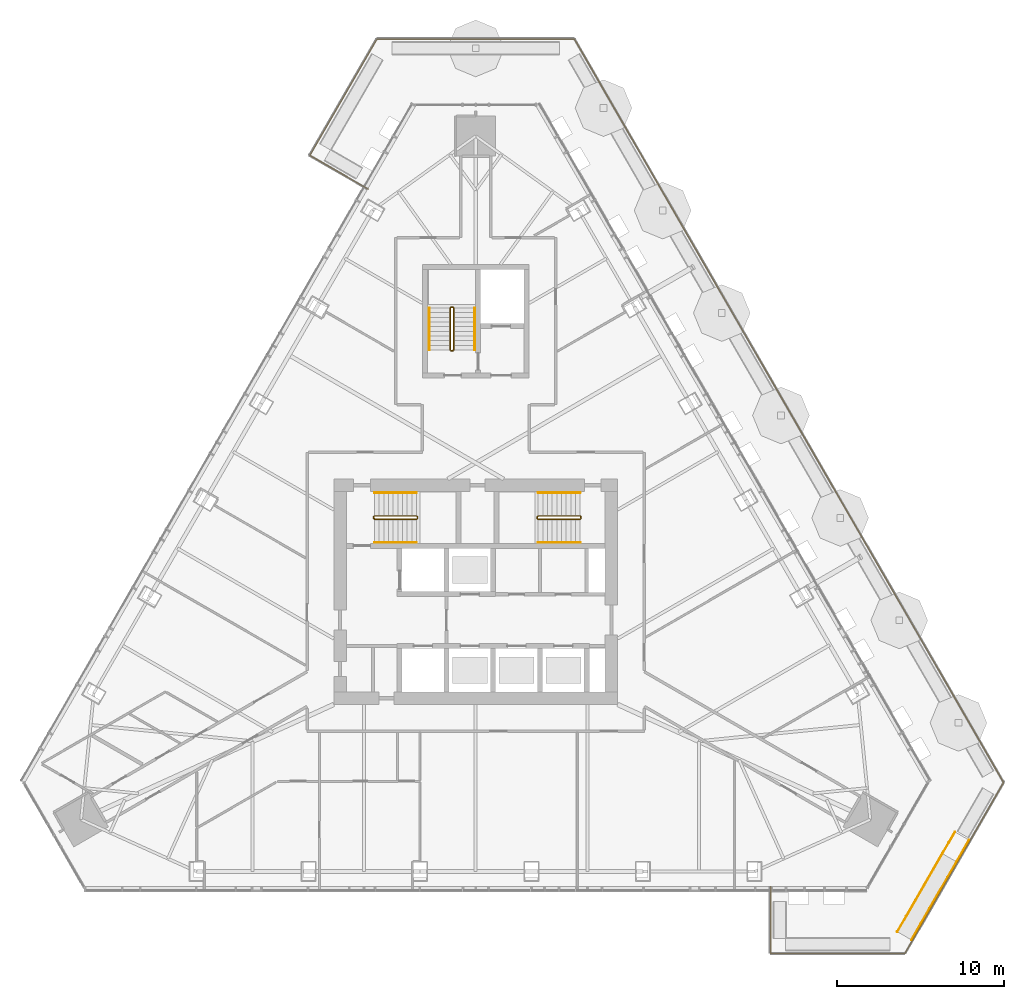
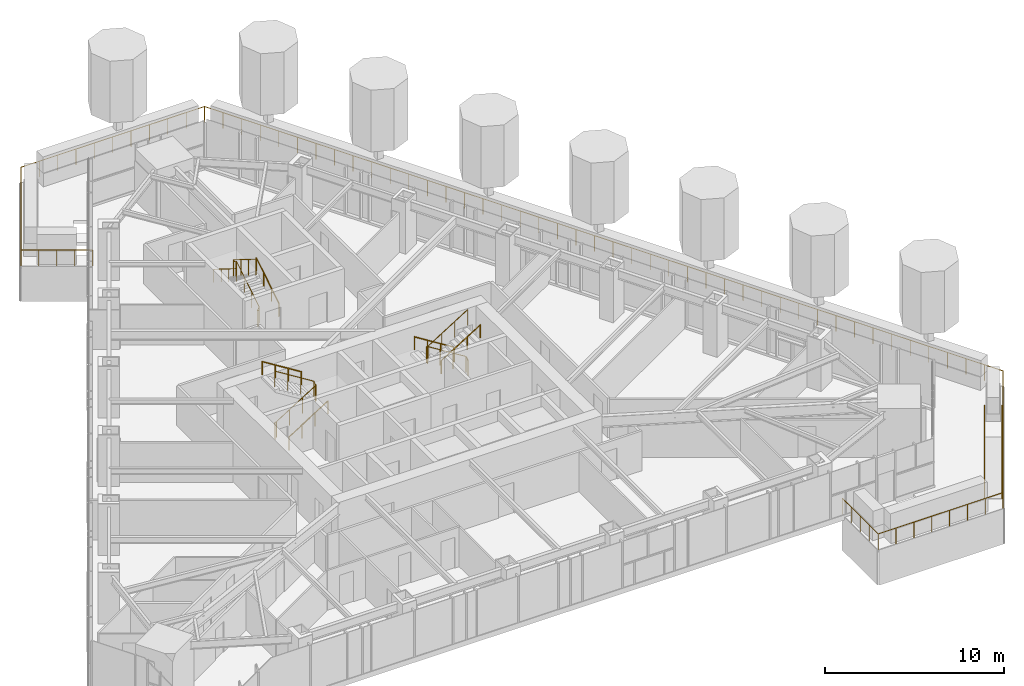
# One storey, part 22 of 24: 12 railings.
"""IFC4 building model written with IfcOpenShell, lengths in metres."""

import ifcopenshell
import ifcopenshell.guid

model = None  # the IFC model being written
_history = None  # IfcOwnerHistory: only IFC2X3 demands one
_inside = {}  # id of a spatial element -> (the spatial element, [elements in it])
_under = {}  # id of a project, library or spatial element -> (it, [spatial elements below it])
_declared = {}  # id of a project -> (the project, [libraries it declares])
_typed = {}  # id of a type object -> (the type object, [elements of that type])
_made_of = {}  # id of a material, layer set ... -> (it, [elements and type objects made of it])


def new_model(schema):
    """Start an empty IFC model of exactly this schema.

    Asked for "IFC4X3", IfcOpenShell would pick the latest addendum, in which some entities
    have other attributes; the version numbers below select the first issue.
    IFC2X3 requires an IfcOwnerHistory on every rooted entity: one is made here for all.
    """
    global model, _history
    if schema == "IFC4X3":
        model = ifcopenshell.file(schema_version=(4, 3, 0, 0))
    else:
        model = ifcopenshell.file(schema=schema)
    _inside.clear()
    _under.clear()
    _declared.clear()
    _typed.clear()
    _made_of.clear()
    _history = None
    if model.schema == "IFC2X3":
        org = make("IfcOrganization", Name="unknown")
        user = make(
            "IfcPersonAndOrganization",
            ThePerson=make("IfcPerson", FamilyName="unknown"),
            TheOrganization=org,
        )
        app = make(
            "IfcApplication",
            ApplicationDeveloper=org,
            Version="unknown",
            ApplicationFullName="unknown",
            ApplicationIdentifier="unknown",
        )
        _history = make(
            "IfcOwnerHistory",
            OwningUser=user,
            OwningApplication=app,
            ChangeAction="ADDED",
            CreationDate=0,
        )
    return model


def make(cls, **values):
    """One entity of the class cls with the attributes given. An attribute that is None is left unset."""
    return model.create_entity(
        cls, **{name: value for name, value in values.items() if value is not None}
    )


def rooted(cls, **values):
    """An entity with a GlobalId (a new one), such as an element, a storey or a relation."""
    return make(cls, GlobalId=ifcopenshell.guid.new(), OwnerHistory=_history, **values)


def si_unit(unit_type, name, prefix=None):
    """IfcSIUnit, for example si_unit("LENGTHUNIT", "METRE", prefix="MILLI")."""
    return make("IfcSIUnit", UnitType=unit_type, Prefix=prefix, Name=name)


def assignment(units):
    """IfcUnitAssignment: the units of a project."""
    return None if units is None else make("IfcUnitAssignment", Units=units)


def point(xyz):
    """IfcCartesianPoint."""
    return None if xyz is None else make("IfcCartesianPoint", Coordinates=xyz)


def direction(xyz):
    """IfcDirection."""
    return None if xyz is None else make("IfcDirection", DirectionRatios=xyz)


def frame(location, z_axis=None, x_axis=None):
    """IfcAxis2Placement3D, a coordinate frame: its origin and axes. An axis left out is left unset."""
    return make(
        "IfcAxis2Placement3D",
        Location=point(location),
        Axis=direction(z_axis),
        RefDirection=direction(x_axis),
    )


def frame_2d(location, x_axis=None):
    """IfcAxis2Placement2D, a coordinate frame in the plane: its origin and x axis."""
    return make(
        "IfcAxis2Placement2D", Location=point(location), RefDirection=direction(x_axis)
    )


def origin():
    """The frame at (0, 0, 0) with its axes left unset."""
    return frame((0.0, 0.0, 0.0))


def origin_2d():
    """The frame at (0, 0) in the plane with its x axis left unset."""
    return frame_2d((0.0, 0.0))


def place(relative_to, where):
    """IfcLocalPlacement: puts the frame where relative to a parent placement (None: the world)."""
    return make(
        "IfcLocalPlacement", PlacementRelTo=relative_to, RelativePlacement=where
    )


def context(
    kind, dimensions, precision=None, world=None, true_north=None, identifier=None
):
    """IfcGeometricRepresentationContext, for example the 3D "Model" context."""
    return make(
        "IfcGeometricRepresentationContext",
        ContextIdentifier=identifier,
        ContextType=kind,
        CoordinateSpaceDimension=dimensions,
        Precision=precision,
        WorldCoordinateSystem=world,
        TrueNorth=true_north,
    )


def subcontext(parent, identifier, kind, view, scale=None):
    """IfcGeometricRepresentationSubContext, for example "Body" below "Model"."""
    return make(
        "IfcGeometricRepresentationSubContext",
        ContextIdentifier=identifier,
        ContextType=kind,
        ParentContext=parent,
        TargetScale=scale,
        TargetView=view,
    )


def project(units=None, contexts=None):
    """IfcProject with its units and contexts."""
    return rooted(
        "IfcProject",
        Name="project",
        RepresentationContexts=contexts,
        UnitsInContext=assignment(units),
    )


def spatial(cls, under=None, at=None, **own):
    """A site, building, storey or space (cls), placed at a placement, below another one or the project."""
    s = rooted(cls, ObjectPlacement=at, **own)
    if under is not None:
        _under.setdefault(under.id(), (under, []))[1].append(s)
    return s


def profile(cls, at=None, kind="AREA", **sizes):
    """A parametric profile (cls). Its sizes go by their IFC names, for example OverallWidth=200.0."""
    return make(cls, ProfileType=kind, Position=at, **sizes)


def circle(**sizes):
    """IfcCircleProfileDef."""
    return profile("IfcCircleProfileDef", **sizes)


def extrude(swept, where, along, depth):
    """IfcExtrudedAreaSolid: the profile swept, set in the frame where, extruded along a direction by depth."""
    return make(
        "IfcExtrudedAreaSolid",
        SweptArea=swept,
        Position=where,
        ExtrudedDirection=direction(along),
        Depth=depth,
    )


def shape(context_of_items, identifier, shape_type, items):
    """IfcShapeRepresentation: the items that make up one representation, for example the "Body"."""
    return make(
        "IfcShapeRepresentation",
        ContextOfItems=context_of_items,
        RepresentationIdentifier=identifier,
        RepresentationType=shape_type,
        Items=items,
    )


def material(Name=None, Category=None):
    """IfcMaterial."""
    return make("IfcMaterial", Name=Name, Category=Category)


def made_of(thing, what):
    """Note that an element or type object is made of a material, layer set ...; save() writes the relation."""
    if what is not None:
        _made_of.setdefault(what.id(), (what, []))[1].append(thing)
    return thing


def type_object(cls, material=None, **own):
    """A type object (cls), such as IfcWallType, which elements share."""
    return made_of(rooted(cls, **own), material)


def element(
    cls,
    number,
    at=None,
    inside=None,
    cuts=None,
    type_object=None,
    material=None,
    context=None,
    identifier="Body",
    shape_type=None,
    held_by="IfcProductDefinitionShape",
    body=None,
    shapes=None,
    **own,
):
    """One element of the class cls, such as IfcWall. Its Tag is "e" and its number.

    at: its placement. inside: the storey or other place that contains it. cuts: it is an
    opening in that element (IfcRelVoidsElement). A single representation is given by context,
    identifier, shape_type and body (its items); several are given by shapes. held_by: the class
    of the entity that holds the representations. save() writes the other relations.
    """
    e = rooted(cls, Tag="e%d" % number, ObjectPlacement=at, **own)
    if body is not None:
        shapes = [shape(context, identifier, shape_type, body)]
    if shapes is not None:
        e.Representation = make(held_by, Representations=shapes)
    if inside is not None:
        _inside.setdefault(inside.id(), (inside, []))[1].append(e)
    if cuts is not None:
        rooted(
            "IfcRelVoidsElement", RelatingBuildingElement=cuts, RelatedOpeningElement=e
        )
    if type_object is not None:
        _typed.setdefault(type_object.id(), (type_object, []))[1].append(e)
    return made_of(e, material)


def aggregate(whole, parts):
    """IfcRelAggregates: a whole, such as a stair, and the parts it consists of."""
    return rooted("IfcRelAggregates", RelatingObject=whole, RelatedObjects=parts)


def save(model, path):
    """Write the relations noted so far, then the file.

    IfcRelAggregates (storeys below a building ...), IfcRelContainedInSpatialStructure (elements
    in a storey), IfcRelDefinesByType, IfcRelAssociatesMaterial and IfcRelDeclares: one each for
    every whole, place, type object, material and project.
    """
    for whole, parts in _under.values():
        aggregate(whole, parts)
    for where, things in _inside.values():
        rooted(
            "IfcRelContainedInSpatialStructure",
            RelatedElements=things,
            RelatingStructure=where,
        )
    for kind, things in _typed.values():
        rooted("IfcRelDefinesByType", RelatedObjects=things, RelatingType=kind)
    for what, things in _made_of.values():
        rooted("IfcRelAssociatesMaterial", RelatedObjects=things, RelatingMaterial=what)
    for by, libraries in _declared.values():
        rooted("IfcRelDeclares", RelatingContext=by, RelatedDefinitions=libraries)
    model.write(path)


model = new_model("IFC4")

# Units and contexts
model_context = context("Model", 3, precision=1e-05, world=origin(), true_north=direction((0.0, 1.0)))
body_context = subcontext(model_context, "Body", "Model", "MODEL_VIEW")
ifc_project = project(units=[si_unit("LENGTHUNIT", "METRE"), si_unit("AREAUNIT", "SQUARE_METRE"), si_unit("VOLUMEUNIT", "CUBIC_METRE"), si_unit("PLANEANGLEUNIT", "RADIAN"), si_unit("MASSUNIT", "GRAM", prefix="KILO")], contexts=[model_context])

# Site, building, storey
site_placement = place(None, origin())
site = spatial("IfcSite", under=ifc_project, at=site_placement, CompositionType="ELEMENT")
building_placement = place(site_placement, origin())
building = spatial("IfcBuilding", under=site, at=building_placement, Name="Firuza Gate Tower and Library", CompositionType="ELEMENT")
storey_placement = place(building_placement, frame((0.0, 0.0, 267.10009765625)))
storey = spatial("IfcBuildingStorey", under=building, at=storey_placement, Name="L63", CompositionType="ELEMENT", Elevation=267.10009765625)

# Railings
ifc_material_1 = material(Name="Steel S355", Category="steel")
railing_type_1 = type_object("IfcRailingType", Name="Garden ramp guard 1100", PredefinedType="GUARDRAIL", material=ifc_material_1)
railing_1_placement = place(storey_placement, frame((100.248046875, 54.638671875, 0.0498046875)))
element("IfcRailing", 1, at=railing_1_placement, inside=storey, type_object=railing_type_1, Name="Ramp guard", PredefinedType="GUARDRAIL", context=body_context, shape_type="SweptSolid", body=[
    extrude(circle(Radius=0.02392578125, at=origin_2d()), frame((0.0, 0.0, 1.076171875), z_axis=(0.49862797474, 0.863660263689, 0.073899199801), x_axis=(-0.866028230842, 0.499995103361, 0.0)), (0.0, 0.0, 1.0), 5.414794921875),
    extrude(circle(Radius=0.02392578125, at=origin_2d()), frame((2.699951171875, 4.676513671875, 1.47607421875), z_axis=(0.499990139034, 0.866031096941, 0.0), x_axis=(-0.866031096941, 0.499990139034, 0.0)), (0.0, 0.0, 1.0), 1.5),
    extrude(circle(Radius=0.02099609375, at=origin_2d()), origin(), (0.0, 0.0, 1.0), 1.052001953125),
    extrude(circle(Radius=0.02099609375, at=origin_2d()), frame((0.5400390625, 0.935302734375, 0.080078125)), (0.0, 0.0, 1.0), 1.052001953125),
    extrude(circle(Radius=0.02099609375, at=origin_2d()), frame((1.080078125, 1.87060546875, 0.16015625)), (0.0, 0.0, 1.0), 1.052001953125),
    extrude(circle(Radius=0.02099609375, at=origin_2d()), frame((1.619873046875, 2.805908203125, 0.239990234375)), (0.0, 0.0, 1.0), 1.052001953125),
    extrude(circle(Radius=0.02099609375, at=origin_2d()), frame((2.159912109375, 3.7412109375, 0.320068359375)), (0.0, 0.0, 1.0), 1.052001953125),
    extrude(circle(Radius=0.02099609375, at=origin_2d()), frame((2.699951171875, 4.676513671875, 0.400146484375)), (0.0, 0.0, 1.0), 1.052001953125),
    extrude(circle(Radius=0.02099609375, at=origin_2d()), frame((3.074951171875, 5.326171875, 0.400146484375)), (0.0, 0.0, 1.0), 1.052001953125),
    extrude(circle(Radius=0.02099609375, at=origin_2d()), frame((3.449951171875, 5.9755859375, 0.400146484375)), (0.0, 0.0, 1.0), 1.052001953125),
])
railing_2_placement = place(storey_placement, frame((101.0966796875, 54.148681640625, 0.0498046875)))
element("IfcRailing", 2, at=railing_2_placement, inside=storey, type_object=railing_type_1, Name="Ramp guard", PredefinedType="GUARDRAIL", context=body_context, shape_type="SweptSolid", body=[
    extrude(circle(Radius=0.02392578125, at=origin_2d()), frame((0.0, 0.0, 1.076171875), z_axis=(0.498661851359, 0.863640846545, 0.073897538371), x_axis=(-0.866008653551, 0.500029011134, 0.0)), (0.0, 0.0, 1.0), 5.414794921875),
    extrude(circle(Radius=0.02392578125, at=origin_2d()), frame((2.7001953125, 4.676513671875, 1.47607421875), z_axis=(0.499990139034, 0.866031096941, 0.0), x_axis=(-0.866031096941, 0.499990139034, 0.0)), (0.0, 0.0, 1.0), 1.5),
    extrude(circle(Radius=0.02099609375, at=origin_2d()), origin(), (0.0, 0.0, 1.0), 1.052001953125),
    extrude(circle(Radius=0.02099609375, at=origin_2d()), frame((0.5400390625, 0.935302734375, 0.080078125)), (0.0, 0.0, 1.0), 1.052001953125),
    extrude(circle(Radius=0.02099609375, at=origin_2d()), frame((1.080078125, 1.87060546875, 0.16015625)), (0.0, 0.0, 1.0), 1.052001953125),
    extrude(circle(Radius=0.02099609375, at=origin_2d()), frame((1.6201171875, 2.805908203125, 0.239990234375)), (0.0, 0.0, 1.0), 1.052001953125),
    extrude(circle(Radius=0.02099609375, at=origin_2d()), frame((2.16015625, 3.7412109375, 0.320068359375)), (0.0, 0.0, 1.0), 1.052001953125),
    extrude(circle(Radius=0.02099609375, at=origin_2d()), frame((2.7001953125, 4.676513671875, 0.400146484375)), (0.0, 0.0, 1.0), 1.052001953125),
    extrude(circle(Radius=0.02099609375, at=origin_2d()), frame((3.0751953125, 5.326171875, 0.400146484375)), (0.0, 0.0, 1.0), 1.052001953125),
    extrude(circle(Radius=0.02099609375, at=origin_2d()), frame((3.4501953125, 5.9755859375, 0.400146484375)), (0.0, 0.0, 1.0), 1.052001953125),
])
ifc_material_2 = material(Name="Steel S355", Category="steel")
railing_type_2 = type_object("IfcRailingType", Name="Stair guard 1100", PredefinedType="GUARDRAIL", material=ifc_material_2)
railing_3_placement = place(storey_placement, frame((68.889892578125, 79.389892578125, 0.0)))
element("IfcRailing", 3, at=railing_3_placement, inside=storey, type_object=railing_type_2, Name="L63 ST1 stair guard 1", PredefinedType="GUARDRAIL", context=body_context, shape_type="SweptSolid", body=[
    extrude(circle(Radius=0.02392578125, at=origin_2d()), frame((0.0, 0.0, 1.076171875), z_axis=(0.0, 1.0, 0.0), x_axis=(-1.0, 0.0, 0.0)), (0.0, 0.0, 1.0), 0.10009765625),
    extrude(circle(Radius=0.02392578125, at=origin_2d()), frame((0.0, 0.10009765625, 1.076171875), z_axis=(0.212383695785, -0.636115069328, 0.741788908207), x_axis=(0.948528701346, 0.316691178788, 0.0)), (0.0, 0.0, 1.0), 0.235595703125),
    extrude(circle(Radius=0.02392578125, at=origin_2d()), frame((0.050048828125, -0.0498046875, 1.2509765625), z_axis=(0.847970611238, 0.0, 0.530043245855), x_axis=(0.0, 1.0, 0.0)), (0.0, 0.0, 1.0), 2.971923828125),
    extrude(circle(Radius=0.02392578125, at=origin_2d()), frame((2.570068359375, -0.0498046875, 2.826171875), z_axis=(0.708833529934, 0.705375805398, 0.0), x_axis=(-0.705375805398, 0.708833529934, 0.0)), (0.0, 0.0, 1.0), 0.070556640625),
    extrude(circle(Radius=0.02392578125, at=origin_2d()), frame((2.6201171875, 0.0, 2.826171875), z_axis=(0.0, 1.0, 0.0), x_axis=(-1.0, 0.0, 0.0)), (0.0, 0.0, 1.0), 0.10009765625),
    extrude(circle(Radius=0.02392578125, at=origin_2d()), frame((2.6201171875, 0.10009765625, 2.826171875), z_axis=(-0.265383341853, 0.265383341853, 0.926899867156), x_axis=(-0.707106781187, -0.707106781187, 0.0)), (0.0, 0.0, 1.0), 0.1884765625),
    extrude(circle(Radius=0.02392578125, at=origin_2d()), frame((2.570068359375, 0.150146484375, 3.0009765625), z_axis=(-0.847970611238, 0.0, 0.530043245855), x_axis=(0.0, -1.0, 0.0)), (0.0, 0.0, 1.0), 2.971923828125),
    extrude(circle(Radius=0.02099609375, at=origin_2d()), origin(), (0.0, 0.0, 1.0), 1.052001953125),
    extrude(circle(Radius=0.02099609375, at=origin_2d()), frame((0.0, 0.10009765625, 0.0)), (0.0, 0.0, 1.0), 1.052001953125),
    extrude(circle(Radius=0.02099609375, at=origin_2d()), frame((0.050048828125, -0.0498046875, 0.1748046875)), (0.0, 0.0, 1.0), 1.052001953125),
    extrude(circle(Radius=0.02099609375, at=origin_2d()), frame((0.89013671875, -0.0498046875, 0.699951171875)), (0.0, 0.0, 1.0), 1.052001953125),
    extrude(circle(Radius=0.02099609375, at=origin_2d()), frame((1.72998046875, -0.0498046875, 1.224853515625)), (0.0, 0.0, 1.0), 1.052001953125),
    extrude(circle(Radius=0.02099609375, at=origin_2d()), frame((2.570068359375, -0.0498046875, 1.75)), (0.0, 0.0, 1.0), 1.052001953125),
    extrude(circle(Radius=0.02099609375, at=origin_2d()), frame((2.6201171875, 0.0, 1.75)), (0.0, 0.0, 1.0), 1.052001953125),
    extrude(circle(Radius=0.02099609375, at=origin_2d()), frame((2.6201171875, 0.10009765625, 1.75)), (0.0, 0.0, 1.0), 1.052001953125),
    extrude(circle(Radius=0.02099609375, at=origin_2d()), frame((2.570068359375, 0.150146484375, 1.9248046875)), (0.0, 0.0, 1.0), 1.052001953125),
    extrude(circle(Radius=0.02099609375, at=origin_2d()), frame((1.72998046875, 0.150146484375, 2.449951171875)), (0.0, 0.0, 1.0), 1.052001953125),
    extrude(circle(Radius=0.02099609375, at=origin_2d()), frame((0.89013671875, 0.150146484375, 2.974853515625)), (0.0, 0.0, 1.0), 1.052001953125),
    extrude(circle(Radius=0.02099609375, at=origin_2d()), frame((0.050048828125, 0.150146484375, 3.5)), (0.0, 0.0, 1.0), 1.052001953125),
])
railing_4_placement = place(storey_placement, frame((81.31005859375, 79.489990234375, 0.0)))
element("IfcRailing", 4, at=railing_4_placement, inside=storey, type_object=railing_type_2, Name="L63 ST2 stair guard 1", PredefinedType="GUARDRAIL", context=body_context, shape_type="SweptSolid", body=[
    extrude(circle(Radius=0.02392578125, at=origin_2d()), frame((0.0, 0.0, 1.076171875), z_axis=(0.0, -1.0, 0.0), x_axis=(1.0, 0.0, 0.0)), (0.0, 0.0, 1.0), 0.10009765625),
    extrude(circle(Radius=0.02392578125, at=origin_2d()), frame((0.0, -0.10009765625, 1.076171875), z_axis=(-0.21224375372, 0.63673126116, 0.741300134944), x_axis=(-0.948683298051, -0.316227766017, 0.0)), (0.0, 0.0, 1.0), 0.23583984375),
    extrude(circle(Radius=0.02392578125, at=origin_2d()), frame((-0.050048828125, 0.050048828125, 1.2509765625), z_axis=(-0.847970611238, 0.0, 0.530043245855), x_axis=(0.0, -1.0, 0.0)), (0.0, 0.0, 1.0), 2.971923828125),
    extrude(circle(Radius=0.02392578125, at=origin_2d()), frame((-2.570068359375, 0.050048828125, 2.826171875), z_axis=(-0.707106781187, -0.707106781187, 0.0), x_axis=(0.707106781187, -0.707106781187, 0.0)), (0.0, 0.0, 1.0), 0.07080078125),
    extrude(circle(Radius=0.02392578125, at=origin_2d()), frame((-2.6201171875, 0.0, 2.826171875), z_axis=(0.0, -1.0, 0.0), x_axis=(1.0, 0.0, 0.0)), (0.0, 0.0, 1.0), 0.10009765625),
    extrude(circle(Radius=0.02392578125, at=origin_2d()), frame((-2.6201171875, -0.10009765625, 2.826171875), z_axis=(0.265474339444, -0.264179342666, 0.927217692888), x_axis=(0.705375805398, 0.708833529934, 0.0)), (0.0, 0.0, 1.0), 0.1884765625),
    extrude(circle(Radius=0.02392578125, at=origin_2d()), frame((-2.570068359375, -0.14990234375, 3.0009765625), z_axis=(0.847970611238, 0.0, 0.530043245855), x_axis=(0.0, 1.0, 0.0)), (0.0, 0.0, 1.0), 2.971923828125),
    extrude(circle(Radius=0.02099609375, at=origin_2d()), origin(), (0.0, 0.0, 1.0), 1.052001953125),
    extrude(circle(Radius=0.02099609375, at=origin_2d()), frame((0.0, -0.10009765625, 0.0)), (0.0, 0.0, 1.0), 1.052001953125),
    extrude(circle(Radius=0.02099609375, at=origin_2d()), frame((-0.050048828125, 0.050048828125, 0.1748046875)), (0.0, 0.0, 1.0), 1.052001953125),
    extrude(circle(Radius=0.02099609375, at=origin_2d()), frame((-0.89013671875, 0.050048828125, 0.699951171875)), (0.0, 0.0, 1.0), 1.052001953125),
    extrude(circle(Radius=0.02099609375, at=origin_2d()), frame((-1.72998046875, 0.050048828125, 1.224853515625)), (0.0, 0.0, 1.0), 1.052001953125),
    extrude(circle(Radius=0.02099609375, at=origin_2d()), frame((-2.570068359375, 0.050048828125, 1.75)), (0.0, 0.0, 1.0), 1.052001953125),
    extrude(circle(Radius=0.02099609375, at=origin_2d()), frame((-2.6201171875, 0.0, 1.75)), (0.0, 0.0, 1.0), 1.052001953125),
    extrude(circle(Radius=0.02099609375, at=origin_2d()), frame((-2.6201171875, -0.10009765625, 1.75)), (0.0, 0.0, 1.0), 1.052001953125),
    extrude(circle(Radius=0.02099609375, at=origin_2d()), frame((-2.570068359375, -0.14990234375, 1.9248046875)), (0.0, 0.0, 1.0), 1.052001953125),
    extrude(circle(Radius=0.02099609375, at=origin_2d()), frame((-1.72998046875, -0.14990234375, 2.449951171875)), (0.0, 0.0, 1.0), 1.052001953125),
    extrude(circle(Radius=0.02099609375, at=origin_2d()), frame((-0.89013671875, -0.14990234375, 2.974853515625)), (0.0, 0.0, 1.0), 1.052001953125),
    extrude(circle(Radius=0.02099609375, at=origin_2d()), frame((-0.050048828125, -0.14990234375, 3.5)), (0.0, 0.0, 1.0), 1.052001953125),
])
railing_5_placement = place(storey_placement, frame((73.6298828125, 89.419921875, 0.0)))
element("IfcRailing", 5, at=railing_5_placement, inside=storey, type_object=railing_type_2, Name="L63 ST3 stair guard 1", PredefinedType="GUARDRAIL", context=body_context, shape_type="SweptSolid", body=[
    extrude(circle(Radius=0.02392578125, at=origin_2d()), frame((0.0, 0.0, 1.076171875), z_axis=(-1.0, 0.0, 0.0), x_axis=(0.0, -1.0, 0.0)), (0.0, 0.0, 1.0), 0.099853515625),
    extrude(circle(Radius=0.02392578125, at=origin_2d()), frame((-0.099853515625, 0.0, 1.076171875), z_axis=(0.636115069328, 0.212383695785, 0.741788908207), x_axis=(-0.316691178788, 0.948528701346, 0.0)), (0.0, 0.0, 1.0), 0.235595703125),
    extrude(circle(Radius=0.02392578125, at=origin_2d()), frame((0.050048828125, 0.050048828125, 1.2509765625), z_axis=(0.0, 0.847970611238, 0.530043245855), x_axis=(-1.0, 0.0, 0.0)), (0.0, 0.0, 1.0), 2.971923828125),
    extrude(circle(Radius=0.02392578125, at=origin_2d()), frame((0.050048828125, 2.570068359375, 2.826171875), z_axis=(-0.707106781187, 0.707106781187, 0.0), x_axis=(-0.707106781187, -0.707106781187, 0.0)), (0.0, 0.0, 1.0), 0.07080078125),
    extrude(circle(Radius=0.02392578125, at=origin_2d()), frame((0.0, 2.6201171875, 2.826171875), z_axis=(-1.0, 0.0, 0.0), x_axis=(0.0, -1.0, 0.0)), (0.0, 0.0, 1.0), 0.099853515625),
    extrude(circle(Radius=0.02392578125, at=origin_2d()), frame((-0.099853515625, 2.6201171875, 2.826171875), z_axis=(-0.265383341853, -0.265383341853, 0.926899867156), x_axis=(0.707106781187, -0.707106781187, 0.0)), (0.0, 0.0, 1.0), 0.1884765625),
    extrude(circle(Radius=0.02392578125, at=origin_2d()), frame((-0.14990234375, 2.570068359375, 3.0009765625), z_axis=(0.0, -0.847970611238, 0.530043245855), x_axis=(1.0, 0.0, 0.0)), (0.0, 0.0, 1.0), 2.971923828125),
    extrude(circle(Radius=0.02099609375, at=origin_2d()), origin(), (0.0, 0.0, 1.0), 1.052001953125),
    extrude(circle(Radius=0.02099609375, at=origin_2d()), frame((-0.099853515625, 0.0, 0.0)), (0.0, 0.0, 1.0), 1.052001953125),
    extrude(circle(Radius=0.02099609375, at=origin_2d()), frame((0.050048828125, 0.050048828125, 0.1748046875)), (0.0, 0.0, 1.0), 1.052001953125),
    extrude(circle(Radius=0.02099609375, at=origin_2d()), frame((0.050048828125, 0.89013671875, 0.699951171875)), (0.0, 0.0, 1.0), 1.052001953125),
    extrude(circle(Radius=0.02099609375, at=origin_2d()), frame((0.050048828125, 1.72998046875, 1.224853515625)), (0.0, 0.0, 1.0), 1.052001953125),
    extrude(circle(Radius=0.02099609375, at=origin_2d()), frame((0.050048828125, 2.570068359375, 1.75)), (0.0, 0.0, 1.0), 1.052001953125),
    extrude(circle(Radius=0.02099609375, at=origin_2d()), frame((0.0, 2.6201171875, 1.75)), (0.0, 0.0, 1.0), 1.052001953125),
    extrude(circle(Radius=0.02099609375, at=origin_2d()), frame((-0.099853515625, 2.6201171875, 1.75)), (0.0, 0.0, 1.0), 1.052001953125),
    extrude(circle(Radius=0.02099609375, at=origin_2d()), frame((-0.14990234375, 2.570068359375, 1.9248046875)), (0.0, 0.0, 1.0), 1.052001953125),
    extrude(circle(Radius=0.02099609375, at=origin_2d()), frame((-0.14990234375, 1.72998046875, 2.449951171875)), (0.0, 0.0, 1.0), 1.052001953125),
    extrude(circle(Radius=0.02099609375, at=origin_2d()), frame((-0.14990234375, 0.89013671875, 2.974853515625)), (0.0, 0.0, 1.0), 1.052001953125),
    extrude(circle(Radius=0.02099609375, at=origin_2d()), frame((-0.14990234375, 0.050048828125, 3.5)), (0.0, 0.0, 1.0), 1.052001953125),
])
ifc_material_3 = material(Name="Steel S355", Category="steel")
railing_type_3 = type_object("IfcRailingType", Name="Stair handrail 900", PredefinedType="HANDRAIL", material=ifc_material_3)
railing_6_placement = place(storey_placement, frame((68.93994140625, 77.949951171875, 0.1748046875)))
element("IfcRailing", 6, at=railing_6_placement, inside=storey, type_object=railing_type_3, Name="L63 ST1 stair handrail 1", PredefinedType="HANDRAIL", context=body_context, shape_type="SweptSolid", body=[
    extrude(circle(Radius=0.02392578125, at=origin_2d()), frame((0.0, 0.0, 0.8759765625), z_axis=(0.847970611238, 0.0, 0.530043245855), x_axis=(0.0, 1.0, 0.0)), (0.0, 0.0, 1.0), 2.971923828125),
    extrude(circle(Radius=0.02099609375, at=origin_2d()), origin(), (0.0, 0.0, 1.0), 0.851806640625),
    extrude(circle(Radius=0.02099609375, at=origin_2d()), frame((0.840087890625, 0.0, 0.525146484375)), (0.0, 0.0, 1.0), 0.851806640625),
    extrude(circle(Radius=0.02099609375, at=origin_2d()), frame((1.679931640625, 0.0, 1.050048828125)), (0.0, 0.0, 1.0), 0.851806640625),
    extrude(circle(Radius=0.02099609375, at=origin_2d()), frame((2.52001953125, 0.0, 1.5751953125)), (0.0, 0.0, 1.0), 0.851806640625),
])
for number, where, name in (
    (7, (71.4599609375, 80.929931640625, 1.9248046875), "L63 ST1 stair handrail 2"),
    (8, (81.260009765625, 80.929931640625, 0.1748046875), "L63 ST2 stair handrail 1"),
):
    element("IfcRailing", number, at=place(storey_placement, frame(where)), inside=storey, type_object=railing_type_3, Name=name, PredefinedType="HANDRAIL", context=body_context, shape_type="SweptSolid", body=[
        extrude(circle(Radius=0.02392578125, at=origin_2d()), frame((0.0, 0.0, 0.8759765625), z_axis=(-0.847970611238, 0.0, 0.530043245855), x_axis=(0.0, -1.0, 0.0)), (0.0, 0.0, 1.0), 2.971923828125),
        extrude(circle(Radius=0.02099609375, at=origin_2d()), origin(), (0.0, 0.0, 1.0), 0.851806640625),
        extrude(circle(Radius=0.02099609375, at=origin_2d()), frame((-0.840087890625, 0.0, 0.525146484375)), (0.0, 0.0, 1.0), 0.851806640625),
        extrude(circle(Radius=0.02099609375, at=origin_2d()), frame((-1.679931640625, 0.0, 1.050048828125)), (0.0, 0.0, 1.0), 0.851806640625),
        extrude(circle(Radius=0.02099609375, at=origin_2d()), frame((-2.52001953125, 0.0, 1.5751953125)), (0.0, 0.0, 1.0), 0.851806640625),
    ])
railing_7_placement = place(storey_placement, frame((78.739990234375, 77.949951171875, 1.9248046875)))
element("IfcRailing", 9, at=railing_7_placement, inside=storey, type_object=railing_type_3, Name="L63 ST2 stair handrail 2", PredefinedType="HANDRAIL", context=body_context, shape_type="SweptSolid", body=[
    extrude(circle(Radius=0.02392578125, at=origin_2d()), frame((0.0, 0.0, 0.8759765625), z_axis=(0.847970611238, 0.0, 0.530043245855), x_axis=(0.0, 1.0, 0.0)), (0.0, 0.0, 1.0), 2.971923828125),
    extrude(circle(Radius=0.02099609375, at=origin_2d()), origin(), (0.0, 0.0, 1.0), 0.851806640625),
    extrude(circle(Radius=0.02099609375, at=origin_2d()), frame((0.840087890625, 0.0, 0.525146484375)), (0.0, 0.0, 1.0), 0.851806640625),
    extrude(circle(Radius=0.02099609375, at=origin_2d()), frame((1.679931640625, 0.0, 1.050048828125)), (0.0, 0.0, 1.0), 0.851806640625),
    extrude(circle(Radius=0.02099609375, at=origin_2d()), frame((2.52001953125, 0.0, 1.5751953125)), (0.0, 0.0, 1.0), 0.851806640625),
])
railing_8_placement = place(storey_placement, frame((74.949951171875, 89.469970703125, 0.1748046875)))
element("IfcRailing", 10, at=railing_8_placement, inside=storey, type_object=railing_type_3, Name="L63 ST3 stair handrail 1", PredefinedType="HANDRAIL", context=body_context, shape_type="SweptSolid", body=[
    extrude(circle(Radius=0.02392578125, at=origin_2d()), frame((0.0, 0.0, 0.8759765625), z_axis=(0.0, 0.847970611238, 0.530043245855), x_axis=(-1.0, 0.0, 0.0)), (0.0, 0.0, 1.0), 2.971923828125),
    extrude(circle(Radius=0.02099609375, at=origin_2d()), origin(), (0.0, 0.0, 1.0), 0.851806640625),
    extrude(circle(Radius=0.02099609375, at=origin_2d()), frame((0.0, 0.840087890625, 0.525146484375)), (0.0, 0.0, 1.0), 0.851806640625),
    extrude(circle(Radius=0.02099609375, at=origin_2d()), frame((0.0, 1.679931640625, 1.050048828125)), (0.0, 0.0, 1.0), 0.851806640625),
    extrude(circle(Radius=0.02099609375, at=origin_2d()), frame((0.0, 2.52001953125, 1.5751953125)), (0.0, 0.0, 1.0), 0.851806640625),
])
railing_9_placement = place(storey_placement, frame((72.2099609375, 91.989990234375, 1.9248046875)))
element("IfcRailing", 11, at=railing_9_placement, inside=storey, type_object=railing_type_3, Name="L63 ST3 stair handrail 2", PredefinedType="HANDRAIL", context=body_context, shape_type="SweptSolid", body=[
    extrude(circle(Radius=0.02392578125, at=origin_2d()), frame((0.0, 0.0, 0.8759765625), z_axis=(0.0, -0.847970611238, 0.530043245855), x_axis=(1.0, 0.0, 0.0)), (0.0, 0.0, 1.0), 2.971923828125),
    extrude(circle(Radius=0.02099609375, at=origin_2d()), origin(), (0.0, 0.0, 1.0), 0.851806640625),
    extrude(circle(Radius=0.02099609375, at=origin_2d()), frame((0.0, -0.840087890625, 0.525146484375)), (0.0, 0.0, 1.0), 0.851806640625),
    extrude(circle(Radius=0.02099609375, at=origin_2d()), frame((0.0, -1.679931640625, 1.050048828125)), (0.0, 0.0, 1.0), 0.851806640625),
    extrude(circle(Radius=0.02099609375, at=origin_2d()), frame((0.0, -2.52001953125, 1.5751953125)), (0.0, 0.0, 1.0), 0.851806640625),
])
ifc_material_4 = material(Name="Steel S355", Category="steel")
railing_type_4 = type_object("IfcRailingType", Name="Terrace guard 1100", PredefinedType="GUARDRAIL", material=ifc_material_4)
railing_10_placement = place(storey_placement, frame((92.66064453125, 57.33935546875, 0.0)))
element("IfcRailing", 12, at=railing_10_placement, inside=storey, type_object=railing_type_4, Name="Tray guard L63", PredefinedType="GUARDRAIL", context=body_context, shape_type="SweptSolid", body=[
    extrude(circle(Radius=0.02392578125, at=origin_2d()), frame((0.0, 0.0, 1.076171875), z_axis=(0.0, -1.0, 0.0), x_axis=(1.0, 0.0, 0.0)), (0.0, 0.0, 1.0), 4.0),
    extrude(circle(Radius=0.02392578125, at=origin_2d()), frame((0.0, -4.0, 1.076171875), z_axis=(1.0, 0.0, 0.0), x_axis=(0.0, 1.0, 0.0)), (0.0, 0.0, 1.0), 8.0380859375),
    extrude(circle(Radius=0.02392578125, at=origin_2d()), frame((8.0380859375, -4.0, 1.076171875), z_axis=(0.500002592159, 0.866023907196, 0.0), x_axis=(-0.866023907196, 0.500002592159, 0.0)), (0.0, 0.0, 1.0), 11.81884765625),
    extrude(circle(Radius=0.02392578125, at=origin_2d()), frame((13.947509765625, 6.2353515625, 1.076171875), z_axis=(-0.500000271721, 0.866025246906, 0.0), x_axis=(-0.866025246906, -0.500000271721, 0.0)), (0.0, 0.0, 1.0), 51.3974609375),
    extrude(circle(Radius=0.02392578125, at=origin_2d()), frame((-11.751220703125, 50.746826171875, 1.076171875), z_axis=(-1.0, 0.0, 0.0), x_axis=(0.0, -1.0, 0.0)), (0.0, 0.0, 1.0), 11.81884765625),
    extrude(circle(Radius=0.02392578125, at=origin_2d()), frame((-23.570068359375, 50.746826171875, 1.076171875), z_axis=(-0.500000268222, -0.866025248926, 0.0), x_axis=(0.866025248926, -0.500000268222, 0.0)), (0.0, 0.0, 1.0), 8.0380859375),
    extrude(circle(Radius=0.02392578125, at=origin_2d()), frame((-27.589111328125, 43.78564453125, 1.076171875), z_axis=(0.866026010844, -0.49999894854, 0.0), x_axis=(0.49999894854, 0.866026010844, 0.0)), (0.0, 0.0, 1.0), 4.0),
    extrude(circle(Radius=0.02099609375, at=origin_2d()), origin(), (0.0, 0.0, 1.0), 1.052001953125),
    extrude(circle(Radius=0.02099609375, at=origin_2d()), frame((0.0, -1.0, 0.0)), (0.0, 0.0, 1.0), 1.052001953125),
    extrude(circle(Radius=0.02099609375, at=origin_2d()), frame((0.0, -2.0, 0.0)), (0.0, 0.0, 1.0), 1.052001953125),
    extrude(circle(Radius=0.02099609375, at=origin_2d()), frame((0.0, -3.0, 0.0)), (0.0, 0.0, 1.0), 1.052001953125),
    extrude(circle(Radius=0.02099609375, at=origin_2d()), frame((0.0, -4.0, 0.0)), (0.0, 0.0, 1.0), 1.052001953125),
    extrude(circle(Radius=0.02099609375, at=origin_2d()), frame((1.148193359375, -4.0, 0.0)), (0.0, 0.0, 1.0), 1.052001953125),
    extrude(circle(Radius=0.02099609375, at=origin_2d()), frame((2.296630859375, -4.0, 0.0)), (0.0, 0.0, 1.0), 1.052001953125),
    extrude(circle(Radius=0.02099609375, at=origin_2d()), frame((3.44482421875, -4.0, 0.0)), (0.0, 0.0, 1.0), 1.052001953125),
    extrude(circle(Radius=0.02099609375, at=origin_2d()), frame((4.59326171875, -4.0, 0.0)), (0.0, 0.0, 1.0), 1.052001953125),
    extrude(circle(Radius=0.02099609375, at=origin_2d()), frame((5.741455078125, -4.0, 0.0)), (0.0, 0.0, 1.0), 1.052001953125),
    extrude(circle(Radius=0.02099609375, at=origin_2d()), frame((6.889892578125, -4.0, 0.0)), (0.0, 0.0, 1.0), 1.052001953125),
    extrude(circle(Radius=0.02099609375, at=origin_2d()), frame((8.0380859375, -4.0, 0.0)), (0.0, 0.0, 1.0), 1.052001953125),
    extrude(circle(Radius=0.02099609375, at=origin_2d()), frame((8.62890625, -2.9765625, 0.0)), (0.0, 0.0, 1.0), 1.052001953125),
    extrude(circle(Radius=0.02099609375, at=origin_2d()), frame((9.219970703125, -1.952880859375, 0.0)), (0.0, 0.0, 1.0), 1.052001953125),
    extrude(circle(Radius=0.02099609375, at=origin_2d()), frame((9.81103515625, -0.929443359375, 0.0)), (0.0, 0.0, 1.0), 1.052001953125),
    extrude(circle(Radius=0.02099609375, at=origin_2d()), frame((10.40185546875, 0.09423828125, 0.0)), (0.0, 0.0, 1.0), 1.052001953125),
    extrude(circle(Radius=0.02099609375, at=origin_2d()), frame((10.99267578125, 1.11767578125, 0.0)), (0.0, 0.0, 1.0), 1.052001953125),
    extrude(circle(Radius=0.02099609375, at=origin_2d()), frame((11.583740234375, 2.14111328125, 0.0)), (0.0, 0.0, 1.0), 1.052001953125),
    extrude(circle(Radius=0.02099609375, at=origin_2d()), frame((12.1748046875, 3.164794921875, 0.0)), (0.0, 0.0, 1.0), 1.052001953125),
    extrude(circle(Radius=0.02099609375, at=origin_2d()), frame((12.765625, 4.188232421875, 0.0)), (0.0, 0.0, 1.0), 1.052001953125),
    extrude(circle(Radius=0.02099609375, at=origin_2d()), frame((13.3564453125, 5.2119140625, 0.0)), (0.0, 0.0, 1.0), 1.052001953125),
    extrude(circle(Radius=0.02099609375, at=origin_2d()), frame((13.947509765625, 6.2353515625, 0.0)), (0.0, 0.0, 1.0), 1.052001953125),
    extrude(circle(Radius=0.02099609375, at=origin_2d()), frame((13.349853515625, 7.2705078125, 0.0)), (0.0, 0.0, 1.0), 1.052001953125),
    extrude(circle(Radius=0.02099609375, at=origin_2d()), frame((12.752197265625, 8.3056640625, 0.0)), (0.0, 0.0, 1.0), 1.052001953125),
    extrude(circle(Radius=0.02099609375, at=origin_2d()), frame((12.154541015625, 9.3408203125, 0.0)), (0.0, 0.0, 1.0), 1.052001953125),
    extrude(circle(Radius=0.02099609375, at=origin_2d()), frame((11.556884765625, 10.3759765625, 0.0)), (0.0, 0.0, 1.0), 1.052001953125),
    extrude(circle(Radius=0.02099609375, at=origin_2d()), frame((10.959228515625, 11.4111328125, 0.0)), (0.0, 0.0, 1.0), 1.052001953125),
    extrude(circle(Radius=0.02099609375, at=origin_2d()), frame((10.361572265625, 12.4462890625, 0.0)), (0.0, 0.0, 1.0), 1.052001953125),
    extrude(circle(Radius=0.02099609375, at=origin_2d()), frame((9.763916015625, 13.4814453125, 0.0)), (0.0, 0.0, 1.0), 1.052001953125),
    extrude(circle(Radius=0.02099609375, at=origin_2d()), frame((9.166259765625, 14.5166015625, 0.0)), (0.0, 0.0, 1.0), 1.052001953125),
    extrude(circle(Radius=0.02099609375, at=origin_2d()), frame((8.568603515625, 15.5517578125, 0.0)), (0.0, 0.0, 1.0), 1.052001953125),
    extrude(circle(Radius=0.02099609375, at=origin_2d()), frame((7.970947265625, 16.5869140625, 0.0)), (0.0, 0.0, 1.0), 1.052001953125),
    extrude(circle(Radius=0.02099609375, at=origin_2d()), frame((7.37353515625, 17.6220703125, 0.0)), (0.0, 0.0, 1.0), 1.052001953125),
    extrude(circle(Radius=0.02099609375, at=origin_2d()), frame((6.77587890625, 18.6572265625, 0.0)), (0.0, 0.0, 1.0), 1.052001953125),
    extrude(circle(Radius=0.02099609375, at=origin_2d()), frame((6.17822265625, 19.6923828125, 0.0)), (0.0, 0.0, 1.0), 1.052001953125),
    extrude(circle(Radius=0.02099609375, at=origin_2d()), frame((5.58056640625, 20.7275390625, 0.0)), (0.0, 0.0, 1.0), 1.052001953125),
    extrude(circle(Radius=0.02099609375, at=origin_2d()), frame((4.98291015625, 21.7626953125, 0.0)), (0.0, 0.0, 1.0), 1.052001953125),
    extrude(circle(Radius=0.02099609375, at=origin_2d()), frame((4.38525390625, 22.7978515625, 0.0)), (0.0, 0.0, 1.0), 1.052001953125),
    extrude(circle(Radius=0.02099609375, at=origin_2d()), frame((3.78759765625, 23.8330078125, 0.0)), (0.0, 0.0, 1.0), 1.052001953125),
    extrude(circle(Radius=0.02099609375, at=origin_2d()), frame((3.18994140625, 24.8681640625, 0.0)), (0.0, 0.0, 1.0), 1.052001953125),
    extrude(circle(Radius=0.02099609375, at=origin_2d()), frame((2.59228515625, 25.9033203125, 0.0)), (0.0, 0.0, 1.0), 1.052001953125),
    extrude(circle(Radius=0.02099609375, at=origin_2d()), frame((1.99462890625, 26.9384765625, 0.0)), (0.0, 0.0, 1.0), 1.052001953125),
    extrude(circle(Radius=0.02099609375, at=origin_2d()), frame((1.39697265625, 27.9736328125, 0.0)), (0.0, 0.0, 1.0), 1.052001953125),
    extrude(circle(Radius=0.02099609375, at=origin_2d()), frame((0.79931640625, 29.008544921875, 0.0)), (0.0, 0.0, 1.0), 1.052001953125),
    extrude(circle(Radius=0.02099609375, at=origin_2d()), frame((0.20166015625, 30.043701171875, 0.0)), (0.0, 0.0, 1.0), 1.052001953125),
    extrude(circle(Radius=0.02099609375, at=origin_2d()), frame((-0.39599609375, 31.078857421875, 0.0)), (0.0, 0.0, 1.0), 1.052001953125),
    extrude(circle(Radius=0.02099609375, at=origin_2d()), frame((-0.99365234375, 32.114013671875, 0.0)), (0.0, 0.0, 1.0), 1.052001953125),
    extrude(circle(Radius=0.02099609375, at=origin_2d()), frame((-1.59130859375, 33.149169921875, 0.0)), (0.0, 0.0, 1.0), 1.052001953125),
    extrude(circle(Radius=0.02099609375, at=origin_2d()), frame((-2.18896484375, 34.184326171875, 0.0)), (0.0, 0.0, 1.0), 1.052001953125),
    extrude(circle(Radius=0.02099609375, at=origin_2d()), frame((-2.78662109375, 35.219482421875, 0.0)), (0.0, 0.0, 1.0), 1.052001953125),
    extrude(circle(Radius=0.02099609375, at=origin_2d()), frame((-3.38427734375, 36.254638671875, 0.0)), (0.0, 0.0, 1.0), 1.052001953125),
    extrude(circle(Radius=0.02099609375, at=origin_2d()), frame((-3.98193359375, 37.289794921875, 0.0)), (0.0, 0.0, 1.0), 1.052001953125),
    extrude(circle(Radius=0.02099609375, at=origin_2d()), frame((-4.57958984375, 38.324951171875, 0.0)), (0.0, 0.0, 1.0), 1.052001953125),
    extrude(circle(Radius=0.02099609375, at=origin_2d()), frame((-5.17724609375, 39.360107421875, 0.0)), (0.0, 0.0, 1.0), 1.052001953125),
    extrude(circle(Radius=0.02099609375, at=origin_2d()), frame((-5.774658203125, 40.395263671875, 0.0)), (0.0, 0.0, 1.0), 1.052001953125),
    extrude(circle(Radius=0.02099609375, at=origin_2d()), frame((-6.372314453125, 41.430419921875, 0.0)), (0.0, 0.0, 1.0), 1.052001953125),
    extrude(circle(Radius=0.02099609375, at=origin_2d()), frame((-6.969970703125, 42.465576171875, 0.0)), (0.0, 0.0, 1.0), 1.052001953125),
    extrude(circle(Radius=0.02099609375, at=origin_2d()), frame((-7.567626953125, 43.500732421875, 0.0)), (0.0, 0.0, 1.0), 1.052001953125),
    extrude(circle(Radius=0.02099609375, at=origin_2d()), frame((-8.165283203125, 44.535888671875, 0.0)), (0.0, 0.0, 1.0), 1.052001953125),
    extrude(circle(Radius=0.02099609375, at=origin_2d()), frame((-8.762939453125, 45.571044921875, 0.0)), (0.0, 0.0, 1.0), 1.052001953125),
    extrude(circle(Radius=0.02099609375, at=origin_2d()), frame((-9.360595703125, 46.606201171875, 0.0)), (0.0, 0.0, 1.0), 1.052001953125),
    extrude(circle(Radius=0.02099609375, at=origin_2d()), frame((-9.958251953125, 47.641357421875, 0.0)), (0.0, 0.0, 1.0), 1.052001953125),
    extrude(circle(Radius=0.02099609375, at=origin_2d()), frame((-10.555908203125, 48.676513671875, 0.0)), (0.0, 0.0, 1.0), 1.052001953125),
    extrude(circle(Radius=0.02099609375, at=origin_2d()), frame((-11.153564453125, 49.711669921875, 0.0)), (0.0, 0.0, 1.0), 1.052001953125),
    extrude(circle(Radius=0.02099609375, at=origin_2d()), frame((-11.751220703125, 50.746826171875, 0.0)), (0.0, 0.0, 1.0), 1.052001953125),
    extrude(circle(Radius=0.02099609375, at=origin_2d()), frame((-12.93310546875, 50.746826171875, 0.0)), (0.0, 0.0, 1.0), 1.052001953125),
    extrude(circle(Radius=0.02099609375, at=origin_2d()), frame((-14.114990234375, 50.746826171875, 0.0)), (0.0, 0.0, 1.0), 1.052001953125),
    extrude(circle(Radius=0.02099609375, at=origin_2d()), frame((-15.296875, 50.746826171875, 0.0)), (0.0, 0.0, 1.0), 1.052001953125),
    extrude(circle(Radius=0.02099609375, at=origin_2d()), frame((-16.478759765625, 50.746826171875, 0.0)), (0.0, 0.0, 1.0), 1.052001953125),
    extrude(circle(Radius=0.02099609375, at=origin_2d()), frame((-17.66064453125, 50.746826171875, 0.0)), (0.0, 0.0, 1.0), 1.052001953125),
    extrude(circle(Radius=0.02099609375, at=origin_2d()), frame((-18.842529296875, 50.746826171875, 0.0)), (0.0, 0.0, 1.0), 1.052001953125),
    extrude(circle(Radius=0.02099609375, at=origin_2d()), frame((-20.0244140625, 50.746826171875, 0.0)), (0.0, 0.0, 1.0), 1.052001953125),
    extrude(circle(Radius=0.02099609375, at=origin_2d()), frame((-21.206298828125, 50.746826171875, 0.0)), (0.0, 0.0, 1.0), 1.052001953125),
    extrude(circle(Radius=0.02099609375, at=origin_2d()), frame((-22.38818359375, 50.746826171875, 0.0)), (0.0, 0.0, 1.0), 1.052001953125),
    extrude(circle(Radius=0.02099609375, at=origin_2d()), frame((-23.570068359375, 50.746826171875, 0.0)), (0.0, 0.0, 1.0), 1.052001953125),
    extrude(circle(Radius=0.02099609375, at=origin_2d()), frame((-24.144287109375, 49.75244140625, 0.0)), (0.0, 0.0, 1.0), 1.052001953125),
    extrude(circle(Radius=0.02099609375, at=origin_2d()), frame((-24.71826171875, 48.7578125, 0.0)), (0.0, 0.0, 1.0), 1.052001953125),
    extrude(circle(Radius=0.02099609375, at=origin_2d()), frame((-25.29248046875, 47.763427734375, 0.0)), (0.0, 0.0, 1.0), 1.052001953125),
    extrude(circle(Radius=0.02099609375, at=origin_2d()), frame((-25.86669921875, 46.76904296875, 0.0)), (0.0, 0.0, 1.0), 1.052001953125),
    extrude(circle(Radius=0.02099609375, at=origin_2d()), frame((-26.44091796875, 45.774658203125, 0.0)), (0.0, 0.0, 1.0), 1.052001953125),
    extrude(circle(Radius=0.02099609375, at=origin_2d()), frame((-27.014892578125, 44.780029296875, 0.0)), (0.0, 0.0, 1.0), 1.052001953125),
    extrude(circle(Radius=0.02099609375, at=origin_2d()), frame((-27.589111328125, 43.78564453125, 0.0)), (0.0, 0.0, 1.0), 1.052001953125),
    extrude(circle(Radius=0.02099609375, at=origin_2d()), frame((-26.72314453125, 43.28564453125, 0.0)), (0.0, 0.0, 1.0), 1.052001953125),
    extrude(circle(Radius=0.02099609375, at=origin_2d()), frame((-25.85693359375, 42.78564453125, 0.0)), (0.0, 0.0, 1.0), 1.052001953125),
    extrude(circle(Radius=0.02099609375, at=origin_2d()), frame((-24.990966796875, 42.28564453125, 0.0)), (0.0, 0.0, 1.0), 1.052001953125),
    extrude(circle(Radius=0.02099609375, at=origin_2d()), frame((-24.125, 41.78564453125, 0.0)), (0.0, 0.0, 1.0), 1.052001953125),
])

save(model, "model.ifc")
